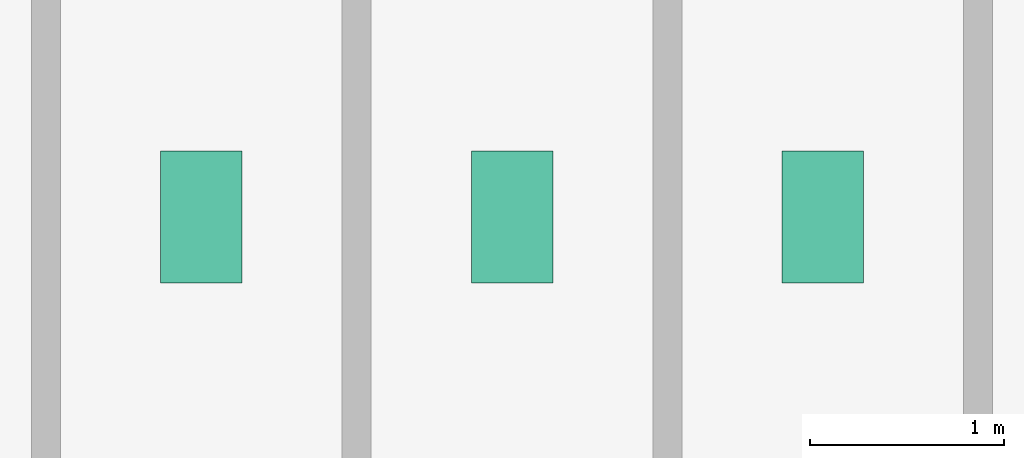
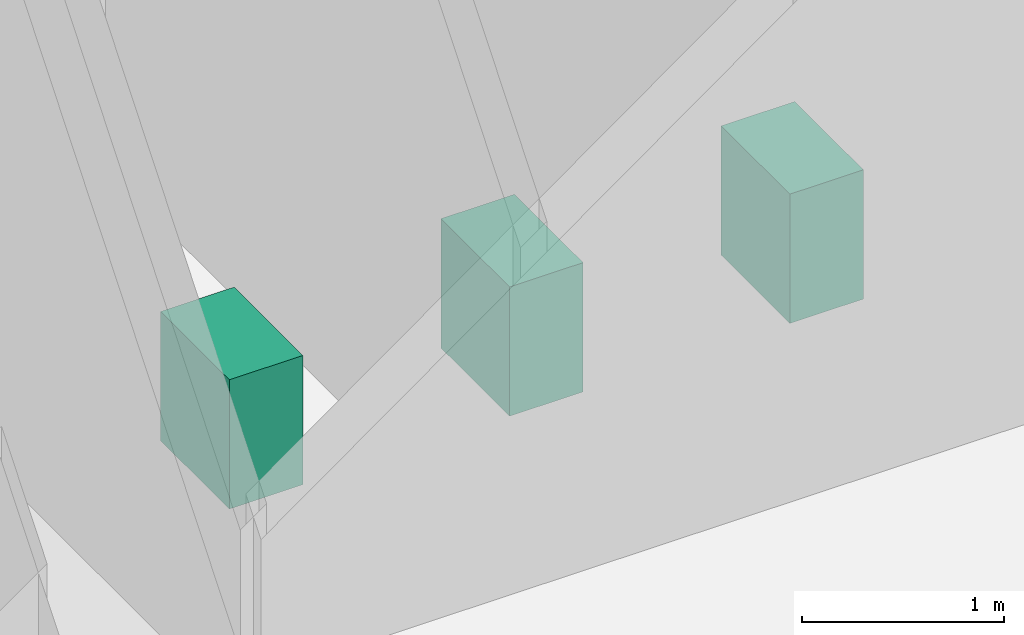
# One storey, part 25 of 25: 3 sanitary terminals.
"""IFC4 building model written with IfcOpenShell, lengths in metres."""

from ifc_helpers import new_model, si_unit, derived_unit, direction, frame, origin, origin_2d, place, context, subcontext, project, spatial, rectangle, extrude, source, transform, mapped, material, type_object, element, save


model = new_model("IFC4")

# Units and contexts
model_context = context("Model", 3, precision=1e-05, world=origin(), true_north=direction((0.0, 1.0)))
body_context = subcontext(model_context, "Body", "Model", "MODEL_VIEW")
ifc_project = project(units=[si_unit("LENGTHUNIT", "METRE"), si_unit("AREAUNIT", "SQUARE_METRE"), si_unit("VOLUMEUNIT", "CUBIC_METRE"), si_unit("PLANEANGLEUNIT", "RADIAN"), si_unit("MASSUNIT", "GRAM", prefix="KILO"), derived_unit("THERMALTRANSMITTANCEUNIT", [(si_unit("POWERUNIT", "WATT"), 1), (si_unit("LENGTHUNIT", "METRE"), -2), (si_unit("THERMODYNAMICTEMPERATUREUNIT", "KELVIN"), -1)])], contexts=[model_context])

# Site, building, storey
site_placement = place(None, origin())
site = spatial("IfcSite", under=ifc_project, at=site_placement, CompositionType="ELEMENT")
building_placement = place(site_placement, origin())
building = spatial("IfcBuilding", under=site, at=building_placement, Name="Skarnbrae Concourse Arena and Tower", CompositionType="ELEMENT")
storey_placement = place(building_placement, frame((0.0, 0.0, 173.449951171875)))
storey = spatial("IfcBuildingStorey", under=building, at=storey_placement, Name="L44", CompositionType="ELEMENT", Elevation=173.449951171875)

# Sanitary terminals
ifc_material = material(Name="Vitreous china sanitaryware", Category="other")
sanitary_terminal_type = type_object("IfcSanitaryTerminalType", Name="SAN-WC-VITREOUS", PredefinedType="TOILETPAN", material=ifc_material)
shared_shape = source(origin(), body_context, "Body", "SweptSolid", [
    extrude(rectangle(XDim=0.419921875, YDim=0.679931640625, at=origin_2d()), origin(), (0.0, 0.0, 1.0), 0.780029296875),
])
for number, where, z_axis, x_axis, name in (
    (1, (35.0, 11.39990234375, 0.0), (0.0, 0.0, 1.0), (1.0, 0.0, 0.0), "L44 Washroom WC fixture 1"),
    (2, (36.60009765625, 11.39990234375, 0.0), (0.0, 0.0, 1.0), (1.0, 0.0, 0.0), "L44 Washroom WC fixture 2"),
    (3, (38.199951171875, 11.39990234375, 0.0), (0.0, 0.0, 1.0), (1.0, 0.0, 0.0), "L44 Washroom WC fixture 3"),
):
    element("IfcSanitaryTerminal", number, at=place(storey_placement, frame(where, z_axis=z_axis, x_axis=x_axis)), inside=storey, type_object=sanitary_terminal_type, Name=name, PredefinedType="TOILETPAN", context=body_context, shape_type="MappedRepresentation", body=[
        mapped(shared_shape, transform((0.0, 0.0, 0.0))),
    ])

save(model, "model.ifc")
